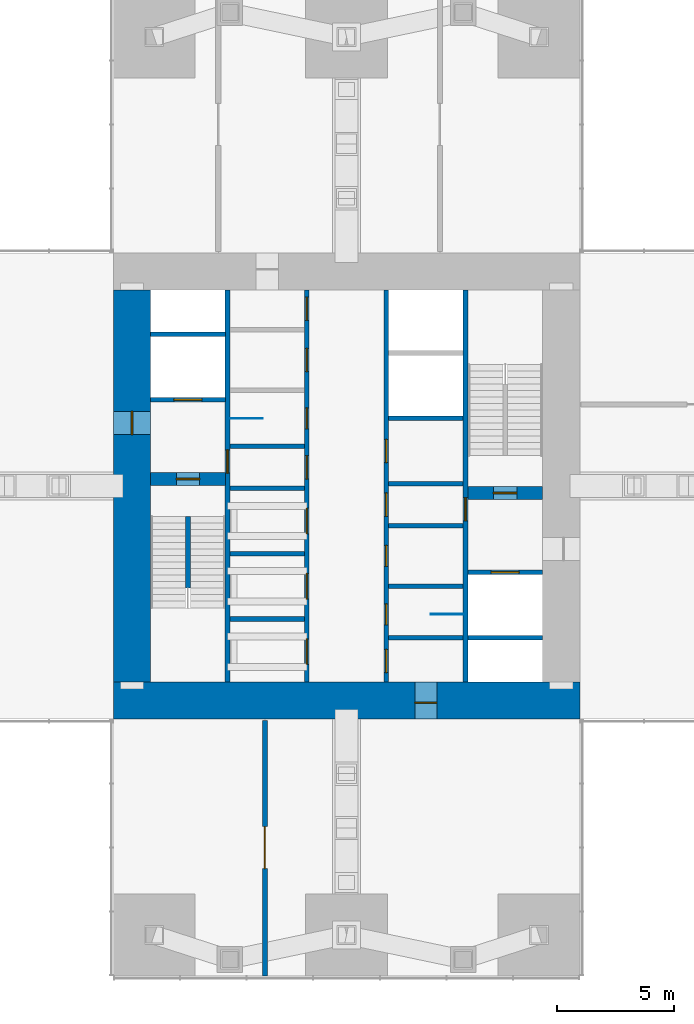
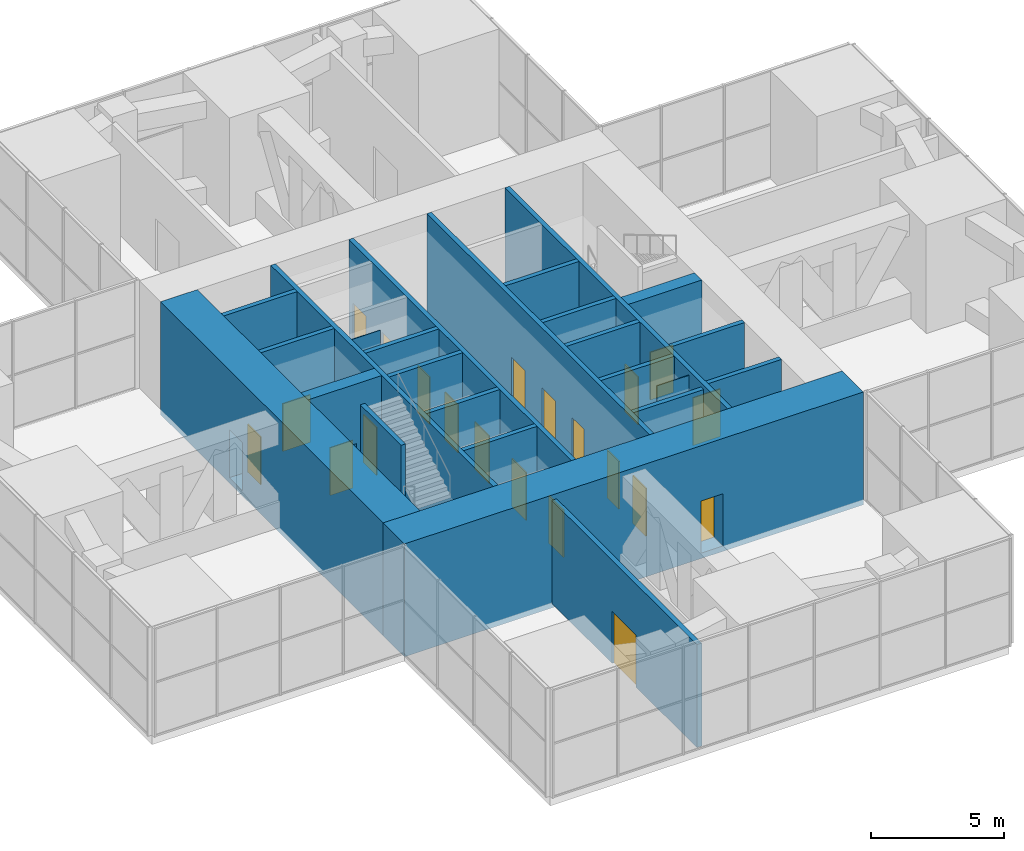
# One storey, part 10 of 12: 25 walls, 21 doors, 21 openings.
"""IFC4 building model written with IfcOpenShell, lengths in metres."""

from ifc_helpers import new_model, si_unit, direction, frame, frame_2d, origin, place, context, subcontext, project, spatial, rectangle, extrude, material, layer, layer_set, type_object, element, fill, save


model = new_model("IFC4")

# Units and contexts
model_context = context("Model", 3, precision=1e-05, world=origin(), true_north=direction((0.0, 1.0)))
body_context = subcontext(model_context, "Body", "Model", "MODEL_VIEW")
ifc_project = project(units=[si_unit("LENGTHUNIT", "METRE"), si_unit("AREAUNIT", "SQUARE_METRE"), si_unit("VOLUMEUNIT", "CUBIC_METRE"), si_unit("PLANEANGLEUNIT", "RADIAN"), si_unit("MASSUNIT", "GRAM", prefix="KILO")], contexts=[model_context])

# Site, building, storey
site_placement = place(None, origin())
site = spatial("IfcSite", under=ifc_project, at=site_placement, CompositionType="ELEMENT")
building_placement = place(site_placement, origin())
building = spatial("IfcBuilding", under=site, at=building_placement, Name="Svetlomir Tower", CompositionType="ELEMENT")
storey_placement = place(building_placement, frame((0.0, 0.0, 160.5)))
storey = spatial("IfcBuildingStorey", under=building, at=storey_placement, Name="L38", CompositionType="ELEMENT", Elevation=160.5)

# Wall
ifc_material_1 = material(Name="Gypsum board on twin steel studs", Category="steel")
ifc_layer_1 = layer(ifc_material_1, 0.199951171875)
ifc_layer_set_1 = layer_set([ifc_layer_1], Name="Gypsum board on twin steel studs")
wall_type_1 = type_object("IfcWallType", Name="ACOUSTIC PARTITION 200", PredefinedType="PARTITIONING", material=ifc_layer_set_1)
wall_1_placement = place(storey_placement, frame((22.800048828125, 14.5, 0.0), z_axis=(0.0, 0.0, 1.0), x_axis=(1.0, 0.0, 0.0)))
element("IfcWall", 1, at=wall_1_placement, inside=storey, type_object=wall_type_1, Name="Core south corridor wall L38", PredefinedType="PARTITIONING", context=body_context, shape_type="SweptSolid", body=[
    extrude(rectangle(XDim=3.199951171875, YDim=0.199951171875, at=frame_2d((1.60009765625, 0.0))), origin(), (0.0, 0.0, 1.0), 4.75),
])

# Wall, opening, door
ifc_material_2 = material(Name="Dense concrete blockwork", Category="masonry")
ifc_layer_2 = layer(ifc_material_2, 0.215087890625)
ifc_layer_set_2 = layer_set([ifc_layer_2], Name="Dense concrete blockwork")
wall_type_2 = type_object("IfcWallType", Name="BLOCKWORK WALL 215", PredefinedType="PARTITIONING", material=ifc_layer_set_2)
wall_2_placement = place(storey_placement, frame((17.5, 0.0, 0.0), z_axis=(0.0, 0.0, 1.0), x_axis=(0.0, 1.0, 0.0)))
wall_2 = element("IfcWall", 2, at=wall_2_placement, inside=storey, type_object=wall_type_2, Name="Partition L38", PredefinedType="PARTITIONING", context=body_context, shape_type="SweptSolid", body=[
    extrude(rectangle(XDim=10.949951171875, YDim=0.215087890625, at=frame_2d((5.47509765625, 0.0))), origin(), (0.0, 0.0, 1.0), 4.75),
])
opening_1_placement = place(wall_2_placement, frame((4.60009765625, 0.0, 0.0)))
opening_1 = element("IfcOpeningElement", 3, at=opening_1_placement, cuts=wall_2, Name="Opening DP", PredefinedType="OPENING", context=body_context, shape_type="SweptSolid", body=[
    extrude(rectangle(XDim=1.800048828125, YDim=2.39990234375, at=frame_2d((0.89990234375, 1.199951171875))), frame((0.0, 0.11767578125, 0.0), z_axis=(0.0, -1.0, 0.0), x_axis=(1.0, 0.0, 0.0)), (0.0, 0.0, 1.0), 0.235107421875),
])
ifc_material_3 = material(Name="Steel fire door", Category="steel")
door_type_1 = type_object("IfcDoorType", Name="PLANT ROOM DOOR DP 1800x2400", OperationType="DOUBLE_DOOR_SINGLE_SWING", PredefinedType="DOOR", material=ifc_material_3)
door_1_placement = place(opening_1_placement, origin())
door_1 = element("IfcDoor", 4, at=door_1_placement, inside=storey, type_object=door_type_1, Name="Plant room - air handling west door L38", OperationType="DOUBLE_DOOR_SINGLE_SWING", OverallHeight=2.39990234375, OverallWidth=1.800048828125, PredefinedType="DOOR", context=body_context, shape_type="SweptSolid", body=[
    extrude(rectangle(XDim=1.800048828125, YDim=2.39990234375, at=frame_2d((0.89990234375, 1.199951171875))), frame((0.0, 0.02490234375, 0.0), z_axis=(0.0, -1.0, 0.0), x_axis=(1.0, 0.0, 0.0)), (0.0, 0.0, 1.0), 0.050048828125),
])
fill(opening_1, door_1)

ifc_material_4 = material(Name="Concrete C60/75", Category="concrete")
ifc_layer_3 = layer(ifc_material_4, 0.199951171875)
ifc_layer_set_3 = layer_set([ifc_layer_3], Name="Concrete C60/75")
wall_type_3 = type_object("IfcWallType", Name="CORE INNER WALL 200", PredefinedType="SHEAR", material=ifc_layer_set_3)
wall_3_placement = place(storey_placement, frame((15.89990234375, 12.60009765625, -0.25), z_axis=(0.0, 0.0, 1.0), x_axis=(0.0, 1.0, 0.0)))
wall_3 = element("IfcWall", 5, at=wall_3_placement, inside=storey, type_object=wall_type_3, Name="Core inner wall 15.9 L38", PredefinedType="SHEAR", context=body_context, shape_type="SweptSolid", body=[
    extrude(rectangle(XDim=16.7998046875, YDim=0.199951171875, at=frame_2d((8.39990234375, 0.0))), origin(), (0.0, 0.0, 1.0), 5.199951171875),
])
opening_2_placement = place(wall_3_placement, frame((8.949951171875, 0.0, 0.25)))
opening_2 = element("IfcOpeningElement", 6, at=opening_2_placement, cuts=wall_3, Name="Opening DF", PredefinedType="OPENING", context=body_context, shape_type="SweptSolid", body=[
    extrude(rectangle(XDim=1.0, YDim=2.199951171875, at=frame_2d((0.5, 1.10009765625))), frame((0.0, 0.10986328125, 0.0), z_axis=(0.0, -1.0, 0.0), x_axis=(1.0, 0.0, 0.0)), (0.0, 0.0, 1.0), 0.219970703125),
])
ifc_material_5 = material(Name="Steel fire door", Category="steel")
door_type_2 = type_object("IfcDoorType", Name="DOOR DF 1000x2200", OperationType="SINGLE_SWING_LEFT", PredefinedType="DOOR", material=ifc_material_5)
door_2_placement = place(opening_2_placement, origin())
door_2 = element("IfcDoor", 7, at=door_2_placement, inside=storey, type_object=door_type_2, Name="Core corridor west door L38", OperationType="SINGLE_SWING_LEFT", OverallHeight=2.199951171875, OverallWidth=1.0, PredefinedType="DOOR", context=body_context, shape_type="SweptSolid", body=[
    extrude(rectangle(XDim=1.0, YDim=2.199951171875, at=frame_2d((0.5, 1.10009765625))), frame((0.0, 0.02490234375, 0.0), z_axis=(0.0, -1.0, 0.0), x_axis=(1.0, 0.0, 0.0)), (0.0, 0.0, 1.0), 0.050048828125),
])
fill(opening_2, door_2)

# Wall, openings, doors
wall_4_placement = place(storey_placement, frame((19.300048828125, 12.60009765625, -0.25), z_axis=(0.0, 0.0, 1.0), x_axis=(0.0, 1.0, 0.0)))
wall_4 = element("IfcWall", 8, at=wall_4_placement, inside=storey, type_object=wall_type_3, Name="Core inner wall 19.3 L38", PredefinedType="SHEAR", context=body_context, shape_type="SweptSolid", body=[
    extrude(rectangle(XDim=16.7998046875, YDim=0.199951171875, at=frame_2d((8.39990234375, 0.0))), origin(), (0.0, 0.0, 1.0), 5.199951171875),
])
opening_3_placement = place(wall_4_placement, frame((8.699951171875, 0.0, 0.25)))
opening_3 = element("IfcOpeningElement", 9, at=opening_3_placement, cuts=wall_4, Name="Opening DC", PredefinedType="OPENING", context=body_context, shape_type="SweptSolid", body=[
    extrude(rectangle(XDim=1.0, YDim=2.199951171875, at=frame_2d((0.5, 1.10009765625))), frame((0.0, 0.10986328125, 0.0), z_axis=(0.0, -1.0, 0.0), x_axis=(1.0, 0.0, 0.0)), (0.0, 0.0, 1.0), 0.219970703125),
])
opening_4_placement = place(wall_4_placement, frame((10.85009765625, 0.0, 0.25)))
opening_4 = element("IfcOpeningElement", 10, at=opening_4_placement, cuts=wall_4, Name="Opening DW", PredefinedType="OPENING", context=body_context, shape_type="SweptSolid", body=[
    extrude(rectangle(XDim=0.89990234375, YDim=2.199951171875, at=frame_2d((0.449951171875, 1.10009765625))), frame((0.0, 0.10986328125, 0.0), z_axis=(0.0, -1.0, 0.0), x_axis=(1.0, 0.0, 0.0)), (0.0, 0.0, 1.0), 0.219970703125),
])
opening_5_placement = place(wall_4_placement, frame((13.300048828125, 0.0, 0.25)))
opening_5 = element("IfcOpeningElement", 11, at=opening_5_placement, cuts=wall_4, Name="Opening DC", PredefinedType="OPENING", context=body_context, shape_type="SweptSolid", body=[
    extrude(rectangle(XDim=1.0, YDim=2.199951171875, at=frame_2d((0.5, 1.10009765625))), frame((0.0, 0.10986328125, 0.0), z_axis=(0.0, -1.0, 0.0), x_axis=(1.0, 0.0, 0.0)), (0.0, 0.0, 1.0), 0.219970703125),
])
opening_6_placement = place(wall_4_placement, frame((15.5, 0.0, 0.25)))
opening_6 = element("IfcOpeningElement", 12, at=opening_6_placement, cuts=wall_4, Name="Opening DC", PredefinedType="OPENING", context=body_context, shape_type="SweptSolid", body=[
    extrude(rectangle(XDim=1.0, YDim=2.199951171875, at=frame_2d((0.5, 1.10009765625))), frame((0.0, 0.10986328125, 0.0), z_axis=(0.0, -1.0, 0.0), x_axis=(1.0, 0.0, 0.0)), (0.0, 0.0, 1.0), 0.219970703125),
])
opening_7_placement = place(wall_4_placement, frame((0.75, 0.0, 0.25)))
opening_7 = element("IfcOpeningElement", 13, at=opening_7_placement, cuts=wall_4, Name="Opening LD", PredefinedType="OPENING", context=body_context, shape_type="SweptSolid", body=[
    extrude(rectangle(XDim=1.10009765625, YDim=2.199951171875, at=frame_2d((0.550048828125, 1.10009765625))), frame((0.0, 0.10986328125, 0.0), z_axis=(0.0, -1.0, 0.0), x_axis=(1.0, 0.0, 0.0)), (0.0, 0.0, 1.0), 0.219970703125),
])
opening_8_placement = place(wall_4_placement, frame((3.550048828125, 0.0, 0.25)))
opening_8 = element("IfcOpeningElement", 14, at=opening_8_placement, cuts=wall_4, Name="Opening LD", PredefinedType="OPENING", context=body_context, shape_type="SweptSolid", body=[
    extrude(rectangle(XDim=1.10009765625, YDim=2.199951171875, at=frame_2d((0.550048828125, 1.10009765625))), frame((0.0, 0.10986328125, 0.0), z_axis=(0.0, -1.0, 0.0), x_axis=(1.0, 0.0, 0.0)), (0.0, 0.0, 1.0), 0.219970703125),
])
opening_9_placement = place(wall_4_placement, frame((6.35009765625, 0.0, 0.25)))
opening_9 = element("IfcOpeningElement", 15, at=opening_9_placement, cuts=wall_4, Name="Opening LD", PredefinedType="OPENING", context=body_context, shape_type="SweptSolid", body=[
    extrude(rectangle(XDim=1.10009765625, YDim=2.199951171875, at=frame_2d((0.550048828125, 1.10009765625))), frame((0.0, 0.10986328125, 0.0), z_axis=(0.0, -1.0, 0.0), x_axis=(1.0, 0.0, 0.0)), (0.0, 0.0, 1.0), 0.219970703125),
])
ifc_material_6 = material(Name="Timber fire door", Category="wood")
door_type_3 = type_object("IfcDoorType", Name="DOOR DC 1000x2200", OperationType="SINGLE_SWING_LEFT", PredefinedType="DOOR", material=ifc_material_6)
door_3_placement = place(opening_3_placement, origin())
door_3 = element("IfcDoor", 16, at=door_3_placement, inside=storey, type_object=door_type_3, Name="Core corridor west lobby door L38", OperationType="SINGLE_SWING_RIGHT", OverallHeight=2.199951171875, OverallWidth=1.0, PredefinedType="DOOR", context=body_context, shape_type="SweptSolid", body=[
    extrude(rectangle(XDim=1.0, YDim=2.199951171875, at=frame_2d((0.5, 1.10009765625))), frame((0.0, 0.02490234375, 0.0), z_axis=(0.0, -1.0, 0.0), x_axis=(1.0, 0.0, 0.0)), (0.0, 0.0, 1.0), 0.050048828125),
])
fill(opening_3, door_3)
door_4_placement = place(opening_5_placement, origin())
door_4 = element("IfcDoor", 17, at=door_4_placement, inside=storey, type_object=door_type_3, Name="Accessible WC door L38", OperationType="SINGLE_SWING_LEFT", OverallHeight=2.199951171875, OverallWidth=1.0, PredefinedType="DOOR", context=body_context, shape_type="SweptSolid", body=[
    extrude(rectangle(XDim=1.0, YDim=2.199951171875, at=frame_2d((0.5, 1.10009765625))), frame((0.0, 0.02490234375, 0.0), z_axis=(0.0, -1.0, 0.0), x_axis=(1.0, 0.0, 0.0)), (0.0, 0.0, 1.0), 0.050048828125),
])
fill(opening_5, door_4)
door_5_placement = place(opening_6_placement, origin())
door_5 = element("IfcDoor", 18, at=door_5_placement, inside=storey, type_object=door_type_3, Name="Core north corridor lobby door L38", OperationType="SINGLE_SWING_RIGHT", OverallHeight=2.199951171875, OverallWidth=1.0, PredefinedType="DOOR", context=body_context, shape_type="SweptSolid", body=[
    extrude(rectangle(XDim=1.0, YDim=2.199951171875, at=frame_2d((0.5, 1.10009765625))), frame((0.0, 0.02490234375, 0.0), z_axis=(0.0, -1.0, 0.0), x_axis=(1.0, 0.0, 0.0)), (0.0, 0.0, 1.0), 0.050048828125),
])
fill(opening_6, door_5)
ifc_material_7 = material(Name="Timber fire door", Category="wood")
door_type_4 = type_object("IfcDoorType", Name="DOOR DW 900x2200", OperationType="SINGLE_SWING_LEFT", PredefinedType="DOOR", material=ifc_material_7)
door_6_placement = place(opening_4_placement, origin())
door_6 = element("IfcDoor", 19, at=door_6_placement, inside=storey, type_object=door_type_4, Name="Female WC door L38", OperationType="SINGLE_SWING_RIGHT", OverallHeight=2.199951171875, OverallWidth=0.89990234375, PredefinedType="DOOR", context=body_context, shape_type="SweptSolid", body=[
    extrude(rectangle(XDim=0.89990234375, YDim=2.199951171875, at=frame_2d((0.449951171875, 1.10009765625))), frame((0.0, 0.02490234375, 0.0), z_axis=(0.0, -1.0, 0.0), x_axis=(1.0, 0.0, 0.0)), (0.0, 0.0, 1.0), 0.050048828125),
])
fill(opening_4, door_6)
ifc_material_8 = material(Name="Stainless steel landing door", Category="steel")
door_type_5 = type_object("IfcDoorType", Name="LIFT LANDING DOOR LD 1100x2200", OperationType="DOUBLE_DOOR_SLIDING", PredefinedType="DOOR", material=ifc_material_8)
door_7_placement = place(opening_7_placement, origin())
door_7 = element("IfcDoor", 20, at=door_7_placement, inside=storey, type_object=door_type_5, Name="Landing door lift LB1 L38", OperationType="DOUBLE_DOOR_SLIDING", OverallHeight=2.199951171875, OverallWidth=1.10009765625, PredefinedType="DOOR", context=body_context, shape_type="SweptSolid", body=[
    extrude(rectangle(XDim=1.10009765625, YDim=2.199951171875, at=frame_2d((0.550048828125, 1.10009765625))), frame((0.0, 0.02490234375, 0.0), z_axis=(0.0, -1.0, 0.0), x_axis=(1.0, 0.0, 0.0)), (0.0, 0.0, 1.0), 0.050048828125),
])
fill(opening_7, door_7)
door_8_placement = place(opening_8_placement, origin())
door_8 = element("IfcDoor", 21, at=door_8_placement, inside=storey, type_object=door_type_5, Name="Landing door lift LB2 L38", OperationType="DOUBLE_DOOR_SLIDING", OverallHeight=2.199951171875, OverallWidth=1.10009765625, PredefinedType="DOOR", context=body_context, shape_type="SweptSolid", body=[
    extrude(rectangle(XDim=1.10009765625, YDim=2.199951171875, at=frame_2d((0.550048828125, 1.10009765625))), frame((0.0, 0.02490234375, 0.0), z_axis=(0.0, -1.0, 0.0), x_axis=(1.0, 0.0, 0.0)), (0.0, 0.0, 1.0), 0.050048828125),
])
fill(opening_8, door_8)
door_9_placement = place(opening_9_placement, origin())
door_9 = element("IfcDoor", 22, at=door_9_placement, inside=storey, type_object=door_type_5, Name="Landing door lift LB3 L38", OperationType="DOUBLE_DOOR_SLIDING", OverallHeight=2.199951171875, OverallWidth=1.10009765625, PredefinedType="DOOR", context=body_context, shape_type="SweptSolid", body=[
    extrude(rectangle(XDim=1.10009765625, YDim=2.199951171875, at=frame_2d((0.550048828125, 1.10009765625))), frame((0.0, 0.02490234375, 0.0), z_axis=(0.0, -1.0, 0.0), x_axis=(1.0, 0.0, 0.0)), (0.0, 0.0, 1.0), 0.050048828125),
])
fill(opening_9, door_9)

wall_5_placement = place(storey_placement, frame((22.699951171875, 12.60009765625, -0.25), z_axis=(0.0, 0.0, 1.0), x_axis=(0.0, 1.0, 0.0)))
wall_5 = element("IfcWall", 23, at=wall_5_placement, inside=storey, type_object=wall_type_3, Name="Core inner wall 22.7 L38", PredefinedType="SHEAR", context=body_context, shape_type="SweptSolid", body=[
    extrude(rectangle(XDim=16.7998046875, YDim=0.199951171875, at=frame_2d((8.39990234375, 0.0))), origin(), (0.0, 0.0, 1.0), 5.199951171875),
])
opening_10_placement = place(wall_5_placement, frame((0.39990234375, 0.0, 0.25)))
opening_10 = element("IfcOpeningElement", 24, at=opening_10_placement, cuts=wall_5, Name="Opening DC", PredefinedType="OPENING", context=body_context, shape_type="SweptSolid", body=[
    extrude(rectangle(XDim=1.0, YDim=2.199951171875, at=frame_2d((0.5, 1.10009765625))), frame((0.0, 0.10986328125, 0.0), z_axis=(0.0, -1.0, 0.0), x_axis=(1.0, 0.0, 0.0)), (0.0, 0.0, 1.0), 0.219970703125),
])
opening_11_placement = place(wall_5_placement, frame((7.10009765625, 0.0, 0.25)))
opening_11 = element("IfcOpeningElement", 25, at=opening_11_placement, cuts=wall_5, Name="Opening DC", PredefinedType="OPENING", context=body_context, shape_type="SweptSolid", body=[
    extrude(rectangle(XDim=1.0, YDim=2.199951171875, at=frame_2d((0.5, 1.10009765625))), frame((0.0, 0.10986328125, 0.0), z_axis=(0.0, -1.0, 0.0), x_axis=(1.0, 0.0, 0.0)), (0.0, 0.0, 1.0), 0.219970703125),
])
opening_12_placement = place(wall_5_placement, frame((2.449951171875, 0.0, 0.25)))
opening_12 = element("IfcOpeningElement", 26, at=opening_12_placement, cuts=wall_5, Name="Opening DW", PredefinedType="OPENING", context=body_context, shape_type="SweptSolid", body=[
    extrude(rectangle(XDim=0.89990234375, YDim=2.199951171875, at=frame_2d((0.449951171875, 1.10009765625))), frame((0.0, 0.10986328125, 0.0), z_axis=(0.0, -1.0, 0.0), x_axis=(1.0, 0.0, 0.0)), (0.0, 0.0, 1.0), 0.219970703125),
])
opening_13_placement = place(wall_5_placement, frame((4.949951171875, 0.0, 0.25)))
opening_13 = element("IfcOpeningElement", 27, at=opening_13_placement, cuts=wall_5, Name="Opening DW", PredefinedType="OPENING", context=body_context, shape_type="SweptSolid", body=[
    extrude(rectangle(XDim=0.89990234375, YDim=2.199951171875, at=frame_2d((0.449951171875, 1.10009765625))), frame((0.0, 0.10986328125, 0.0), z_axis=(0.0, -1.0, 0.0), x_axis=(1.0, 0.0, 0.0)), (0.0, 0.0, 1.0), 0.219970703125),
])
opening_14_placement = place(wall_5_placement, frame((9.39990234375, 0.0, 0.25)))
opening_14 = element("IfcOpeningElement", 28, at=opening_14_placement, cuts=wall_5, Name="Opening DC", PredefinedType="OPENING", context=body_context, shape_type="SweptSolid", body=[
    extrude(rectangle(XDim=1.0, YDim=2.199951171875, at=frame_2d((0.5, 1.10009765625))), frame((0.0, 0.10986328125, 0.0), z_axis=(0.0, -1.0, 0.0), x_axis=(1.0, 0.0, 0.0)), (0.0, 0.0, 1.0), 0.219970703125),
])
door_10_placement = place(opening_10_placement, origin())
door_10 = element("IfcDoor", 29, at=door_10_placement, inside=storey, type_object=door_type_3, Name="Core south corridor lobby door L38", OperationType="SINGLE_SWING_LEFT", OverallHeight=2.199951171875, OverallWidth=1.0, PredefinedType="DOOR", context=body_context, shape_type="SweptSolid", body=[
    extrude(rectangle(XDim=1.0, YDim=2.199951171875, at=frame_2d((0.5, 1.10009765625))), frame((0.0, 0.02490234375, 0.0), z_axis=(0.0, -1.0, 0.0), x_axis=(1.0, 0.0, 0.0)), (0.0, 0.0, 1.0), 0.050048828125),
])
fill(opening_10, door_10)
door_11_placement = place(opening_11_placement, origin())
door_11 = element("IfcDoor", 30, at=door_11_placement, inside=storey, type_object=door_type_3, Name="Core corridor east lobby door L38", OperationType="SINGLE_SWING_LEFT", OverallHeight=2.199951171875, OverallWidth=1.0, PredefinedType="DOOR", context=body_context, shape_type="SweptSolid", body=[
    extrude(rectangle(XDim=1.0, YDim=2.199951171875, at=frame_2d((0.5, 1.10009765625))), frame((0.0, 0.02490234375, 0.0), z_axis=(0.0, -1.0, 0.0), x_axis=(1.0, 0.0, 0.0)), (0.0, 0.0, 1.0), 0.050048828125),
])
fill(opening_11, door_11)
door_12_placement = place(opening_14_placement, origin())
door_12 = element("IfcDoor", 31, at=door_12_placement, inside=storey, type_object=door_type_3, Name="Converted shaft BANK-E1 room door L38", OperationType="SINGLE_SWING_LEFT", OverallHeight=2.199951171875, OverallWidth=1.0, PredefinedType="DOOR", context=body_context, shape_type="SweptSolid", body=[
    extrude(rectangle(XDim=1.0, YDim=2.199951171875, at=frame_2d((0.5, 1.10009765625))), frame((0.0, 0.02490234375, 0.0), z_axis=(0.0, -1.0, 0.0), x_axis=(1.0, 0.0, 0.0)), (0.0, 0.0, 1.0), 0.050048828125),
])
fill(opening_14, door_12)
door_13_placement = place(opening_12_placement, origin())
door_13 = element("IfcDoor", 32, at=door_13_placement, inside=storey, type_object=door_type_4, Name="Male WC door L38", OperationType="SINGLE_SWING_LEFT", OverallHeight=2.199951171875, OverallWidth=0.89990234375, PredefinedType="DOOR", context=body_context, shape_type="SweptSolid", body=[
    extrude(rectangle(XDim=0.89990234375, YDim=2.199951171875, at=frame_2d((0.449951171875, 1.10009765625))), frame((0.0, 0.02490234375, 0.0), z_axis=(0.0, -1.0, 0.0), x_axis=(1.0, 0.0, 0.0)), (0.0, 0.0, 1.0), 0.050048828125),
])
fill(opening_12, door_13)
door_14_placement = place(opening_13_placement, origin())
door_14 = element("IfcDoor", 33, at=door_14_placement, inside=storey, type_object=door_type_4, Name="Comms room door L38", OperationType="SINGLE_SWING_RIGHT", OverallHeight=2.199951171875, OverallWidth=0.89990234375, PredefinedType="DOOR", context=body_context, shape_type="SweptSolid", body=[
    extrude(rectangle(XDim=0.89990234375, YDim=2.199951171875, at=frame_2d((0.449951171875, 1.10009765625))), frame((0.0, 0.02490234375, 0.0), z_axis=(0.0, -1.0, 0.0), x_axis=(1.0, 0.0, 0.0)), (0.0, 0.0, 1.0), 0.050048828125),
])
fill(opening_13, door_14)

# Wall, opening, door
wall_6_placement = place(storey_placement, frame((26.10009765625, 12.60009765625, -0.25), z_axis=(0.0, 0.0, 1.0), x_axis=(0.0, 1.0, 0.0)))
wall_6 = element("IfcWall", 34, at=wall_6_placement, inside=storey, type_object=wall_type_3, Name="Core inner wall 26.1 L38", PredefinedType="SHEAR", context=body_context, shape_type="SweptSolid", body=[
    extrude(rectangle(XDim=16.7998046875, YDim=0.199951171875, at=frame_2d((8.39990234375, 0.0))), origin(), (0.0, 0.0, 1.0), 5.199951171875),
])
opening_15_placement = place(wall_6_placement, frame((6.89990234375, 0.0, 0.25)))
opening_15 = element("IfcOpeningElement", 35, at=opening_15_placement, cuts=wall_6, Name="Opening DF", PredefinedType="OPENING", context=body_context, shape_type="SweptSolid", body=[
    extrude(rectangle(XDim=1.0, YDim=2.199951171875, at=frame_2d((0.5, 1.10009765625))), frame((0.0, 0.10986328125, 0.0), z_axis=(0.0, -1.0, 0.0), x_axis=(1.0, 0.0, 0.0)), (0.0, 0.0, 1.0), 0.219970703125),
])
door_15_placement = place(opening_15_placement, origin())
door_15 = element("IfcDoor", 36, at=door_15_placement, inside=storey, type_object=door_type_2, Name="Core corridor east door L38", OperationType="SINGLE_SWING_LEFT", OverallHeight=2.199951171875, OverallWidth=1.0, PredefinedType="DOOR", context=body_context, shape_type="SweptSolid", body=[
    extrude(rectangle(XDim=1.0, YDim=2.199951171875, at=frame_2d((0.5, 1.10009765625))), frame((0.0, 0.02490234375, 0.0), z_axis=(0.0, -1.0, 0.0), x_axis=(1.0, 0.0, 0.0)), (0.0, 0.0, 1.0), 0.050048828125),
])
fill(opening_15, door_15)

wall_7_placement = place(storey_placement, frame((12.60009765625, 24.699951171875, -0.25), z_axis=(0.0, 0.0, 1.0), x_axis=(1.0, 0.0, 0.0)))
wall_7 = element("IfcWall", 37, at=wall_7_placement, inside=storey, type_object=wall_type_3, Name="Core inner wall 12.6-15.8/24.7 L38", PredefinedType="SHEAR", context=body_context, shape_type="SweptSolid", body=[
    extrude(rectangle(XDim=3.199951171875, YDim=0.199951171875, at=frame_2d((1.60009765625, 0.0))), origin(), (0.0, 0.0, 1.0), 5.199951171875),
])
opening_16_placement = place(wall_7_placement, frame((1.0, 0.0, 0.25)))
opening_16 = element("IfcOpeningElement", 38, at=opening_16_placement, cuts=wall_7, Name="Opening LD3", PredefinedType="OPENING", context=body_context, shape_type="SweptSolid", body=[
    extrude(rectangle(XDim=1.199951171875, YDim=2.199951171875, at=frame_2d((0.60009765625, 1.10009765625))), frame((0.0, 0.10986328125, 0.0), z_axis=(0.0, -1.0, 0.0), x_axis=(1.0, 0.0, 0.0)), (0.0, 0.0, 1.0), 0.219970703125),
])
ifc_material_9 = material(Name="Stainless steel fire-rated landing door", Category="steel")
door_type_6 = type_object("IfcDoorType", Name="FIREFIGHTING LIFT LANDING DOOR LD3 1200x2200", OperationType="DOUBLE_DOOR_SLIDING", PredefinedType="DOOR", material=ifc_material_9)
door_16_placement = place(opening_16_placement, origin())
door_16 = element("IfcDoor", 39, at=door_16_placement, inside=storey, type_object=door_type_6, Name="Landing door lift FL1 L38", OperationType="DOUBLE_DOOR_SLIDING", OverallHeight=2.199951171875, OverallWidth=1.199951171875, PredefinedType="DOOR", context=body_context, shape_type="SweptSolid", body=[
    extrude(rectangle(XDim=1.199951171875, YDim=2.199951171875, at=frame_2d((0.60009765625, 1.10009765625))), frame((0.0, 0.02490234375, 0.0), z_axis=(0.0, -1.0, 0.0), x_axis=(1.0, 0.0, 0.0)), (0.0, 0.0, 1.0), 0.050048828125),
])
fill(opening_16, door_16)

# Walls
for number, where, z_axis, x_axis, name in (
    (40, (12.60009765625, 27.5, -0.25), (0.0, 0.0, 1.0), (1.0, 0.0, 0.0), "Core inner wall 12.6-15.8/27.5 L38"),
    (41, (16.0, 15.300048828125, -0.25), (0.0, 0.0, 1.0), (1.0, 0.0, 0.0), "Core inner wall 16-19.2/15.3 L38"),
    (42, (16.0, 18.10009765625, -0.25), (0.0, 0.0, 1.0), (1.0, 0.0, 0.0), "Core inner wall 16-19.2/18.1 L38"),
    (43, (16.0, 20.89990234375, -0.25), (0.0, 0.0, 1.0), (1.0, 0.0, 0.0), "Core inner wall 16-19.2/20.9 L38"),
    (44, (16.0, 22.699951171875, -0.25), (0.0, 0.0, 1.0), (1.0, 0.0, 0.0), "Core inner wall 16-19.2/22.7 L38"),
    (45, (22.800048828125, 16.699951171875, -0.25), (0.0, 0.0, 1.0), (1.0, 0.0, 0.0), "Core inner wall 22.8-26/16.7 L38"),
    (46, (22.800048828125, 19.300048828125, -0.25), (0.0, 0.0, 1.0), (1.0, 0.0, 0.0), "Core inner wall 22.8-26/19.3 L38"),
    (47, (22.800048828125, 21.10009765625, -0.25), (0.0, 0.0, 1.0), (1.0, 0.0, 0.0), "Core inner wall 22.8-26/21.1 L38"),
    (48, (22.800048828125, 23.89990234375, -0.25), (0.0, 0.0, 1.0), (1.0, 0.0, 0.0), "Core inner wall 22.8-26/23.9 L38"),
    (49, (26.199951171875, 14.5, -0.25), (0.0, 0.0, 1.0), (1.0, 0.0, 0.0), "Core inner wall 26.2-29.4/14.5 L38"),
):
    element("IfcWall", number, at=place(storey_placement, frame(where, z_axis=z_axis, x_axis=x_axis)), inside=storey, type_object=wall_type_3, Name=name, PredefinedType="SHEAR", context=body_context, shape_type="SweptSolid", body=[
        extrude(rectangle(XDim=3.199951171875, YDim=0.199951171875, at=frame_2d((1.60009765625, 0.0))), origin(), (0.0, 0.0, 1.0), 5.199951171875),
    ])

# Wall, opening, door
wall_8_placement = place(storey_placement, frame((26.199951171875, 17.300048828125, -0.25), z_axis=(0.0, 0.0, 1.0), x_axis=(1.0, 0.0, 0.0)))
wall_8 = element("IfcWall", 50, at=wall_8_placement, inside=storey, type_object=wall_type_3, Name="Core inner wall 26.2-29.4/17.3 L38", PredefinedType="SHEAR", context=body_context, shape_type="SweptSolid", body=[
    extrude(rectangle(XDim=3.199951171875, YDim=0.199951171875, at=frame_2d((1.60009765625, 0.0))), origin(), (0.0, 0.0, 1.0), 5.199951171875),
])
opening_17_placement = place(wall_8_placement, frame((1.0, 0.0, 0.25)))
opening_17 = element("IfcOpeningElement", 51, at=opening_17_placement, cuts=wall_8, Name="Opening LD3", PredefinedType="OPENING", context=body_context, shape_type="SweptSolid", body=[
    extrude(rectangle(XDim=1.199951171875, YDim=2.199951171875, at=frame_2d((0.60009765625, 1.10009765625))), frame((0.0, 0.10986328125, 0.0), z_axis=(0.0, -1.0, 0.0), x_axis=(1.0, 0.0, 0.0)), (0.0, 0.0, 1.0), 0.219970703125),
])
door_17_placement = place(opening_17_placement, origin())
door_17 = element("IfcDoor", 52, at=door_17_placement, inside=storey, type_object=door_type_6, Name="Landing door lift FL2 L38", OperationType="DOUBLE_DOOR_SLIDING", OverallHeight=2.199951171875, OverallWidth=1.199951171875, PredefinedType="DOOR", context=body_context, shape_type="SweptSolid", body=[
    extrude(rectangle(XDim=1.199951171875, YDim=2.199951171875, at=frame_2d((0.60009765625, 1.10009765625))), frame((0.0, 0.02490234375, 0.0), z_axis=(0.0, -1.0, 0.0), x_axis=(1.0, 0.0, 0.0)), (0.0, 0.0, 1.0), 0.050048828125),
])
fill(opening_17, door_17)

ifc_material_10 = material(Name="Concrete C60/75", Category="concrete")
ifc_layer_4 = layer(ifc_material_10, 0.550048828125)
ifc_layer_set_4 = layer_set([ifc_layer_4], Name="Concrete C60/75")
wall_type_4 = type_object("IfcWallType", Name="CORE OUTRIGGER WALL 550", PredefinedType="SHEAR", material=ifc_layer_set_4)
wall_9_placement = place(storey_placement, frame((12.60009765625, 21.300048828125, -0.25), z_axis=(0.0, 0.0, 1.0), x_axis=(1.0, 0.0, 0.0)))
wall_9 = element("IfcWall", 53, at=wall_9_placement, inside=storey, type_object=wall_type_4, Name="Core outrigger wall 12.6-15.8/21.3 L38", PredefinedType="SHEAR", context=body_context, shape_type="SweptSolid", body=[
    extrude(rectangle(XDim=3.199951171875, YDim=0.550048828125, at=frame_2d((1.60009765625, 0.0))), origin(), (0.0, 0.0, 1.0), 5.199951171875),
])
opening_18_placement = place(wall_9_placement, frame((1.10009765625, 0.0, 0.25)))
opening_18 = element("IfcOpeningElement", 54, at=opening_18_placement, cuts=wall_9, Name="Opening DF", PredefinedType="OPENING", context=body_context, shape_type="SweptSolid", body=[
    extrude(rectangle(XDim=1.0, YDim=2.199951171875, at=frame_2d((0.5, 1.10009765625))), frame((0.0, 0.28515625, 0.0), z_axis=(0.0, -1.0, 0.0), x_axis=(1.0, 0.0, 0.0)), (0.0, 0.0, 1.0), 0.570068359375),
])
door_18_placement = place(opening_18_placement, origin())
door_18 = element("IfcDoor", 55, at=door_18_placement, inside=storey, type_object=door_type_2, Name="Stair S1 door L38", OperationType="SINGLE_SWING_RIGHT", OverallHeight=2.199951171875, OverallWidth=1.0, PredefinedType="DOOR", context=body_context, shape_type="SweptSolid", body=[
    extrude(rectangle(XDim=1.0, YDim=2.199951171875, at=frame_2d((0.5, 1.10009765625))), frame((0.0, 0.02490234375, 0.0), z_axis=(0.0, -1.0, 0.0), x_axis=(1.0, 0.0, 0.0)), (0.0, 0.0, 1.0), 0.050048828125),
])
fill(opening_18, door_18)

wall_10_placement = place(storey_placement, frame((26.199951171875, 20.699951171875, -0.25), z_axis=(0.0, 0.0, 1.0), x_axis=(1.0, 0.0, 0.0)))
wall_10 = element("IfcWall", 56, at=wall_10_placement, inside=storey, type_object=wall_type_4, Name="Core outrigger wall 26.2-29.4/20.7 L38", PredefinedType="SHEAR", context=body_context, shape_type="SweptSolid", body=[
    extrude(rectangle(XDim=3.199951171875, YDim=0.550048828125, at=frame_2d((1.60009765625, 0.0))), origin(), (0.0, 0.0, 1.0), 5.199951171875),
])
opening_19_placement = place(wall_10_placement, frame((1.10009765625, 0.0, 0.25)))
opening_19 = element("IfcOpeningElement", 57, at=opening_19_placement, cuts=wall_10, Name="Opening DF", PredefinedType="OPENING", context=body_context, shape_type="SweptSolid", body=[
    extrude(rectangle(XDim=1.0, YDim=2.199951171875, at=frame_2d((0.5, 1.10009765625))), frame((0.0, 0.28515625, 0.0), z_axis=(0.0, -1.0, 0.0), x_axis=(1.0, 0.0, 0.0)), (0.0, 0.0, 1.0), 0.570068359375),
])
door_19_placement = place(opening_19_placement, origin())
door_19 = element("IfcDoor", 58, at=door_19_placement, inside=storey, type_object=door_type_2, Name="Stair S2 door L38", OperationType="SINGLE_SWING_LEFT", OverallHeight=2.199951171875, OverallWidth=1.0, PredefinedType="DOOR", context=body_context, shape_type="SweptSolid", body=[
    extrude(rectangle(XDim=1.0, YDim=2.199951171875, at=frame_2d((0.5, 1.10009765625))), frame((0.0, 0.02490234375, 0.0), z_axis=(0.0, -1.0, 0.0), x_axis=(1.0, 0.0, 0.0)), (0.0, 0.0, 1.0), 0.050048828125),
])
fill(opening_19, door_19)

ifc_material_11 = material(Name="Concrete C60/75", Category="concrete")
ifc_layer_5 = layer(ifc_material_11, 1.60009765625)
ifc_layer_set_5 = layer_set([ifc_layer_5], Name="Concrete C60/75")
wall_type_5 = type_object("IfcWallType", Name="CORE WALL 1600", PredefinedType="SHEAR", material=ifc_layer_set_5)
wall_11_placement = place(storey_placement, frame((11.0, 11.800048828125, -0.25), z_axis=(0.0, 0.0, 1.0), x_axis=(1.0, 0.0, 0.0)))
wall_11 = element("IfcWall", 59, at=wall_11_placement, inside=storey, type_object=wall_type_5, Name="Core wall south L38", PredefinedType="SHEAR", context=body_context, shape_type="SweptSolid", body=[
    extrude(rectangle(XDim=20.0, YDim=1.60009765625, at=frame_2d((10.0, 0.0))), origin(), (0.0, 0.0, 1.0), 5.199951171875),
])
opening_20_placement = place(wall_11_placement, frame((12.925048828125, 0.0, 0.25)))
opening_20 = element("IfcOpeningElement", 60, at=opening_20_placement, cuts=wall_11, Name="Opening DP2", PredefinedType="OPENING", context=body_context, shape_type="SweptSolid", body=[
    extrude(rectangle(XDim=0.949951171875, YDim=2.39990234375, at=frame_2d((0.47509765625, 1.199951171875))), frame((0.0, 0.81005859375, 0.0), z_axis=(0.0, -1.0, 0.0), x_axis=(1.0, 0.0, 0.0)), (0.0, 0.0, 1.0), 1.6201171875),
])
ifc_material_12 = material(Name="Steel fire door", Category="steel")
door_type_7 = type_object("IfcDoorType", Name="PLANT ROOM DOOR DP2 950x2400", OperationType="SINGLE_SWING_LEFT", PredefinedType="DOOR", material=ifc_material_12)
door_20_placement = place(opening_20_placement, origin())
door_20 = element("IfcDoor", 61, at=door_20_placement, inside=storey, type_object=door_type_7, Name="Core south corridor plant door L38", OperationType="SINGLE_SWING_RIGHT", OverallHeight=2.39990234375, OverallWidth=0.949951171875, PredefinedType="DOOR", context=body_context, shape_type="SweptSolid", body=[
    extrude(rectangle(XDim=0.949951171875, YDim=2.39990234375, at=frame_2d((0.47509765625, 1.199951171875))), frame((0.0, -0.0751953125, 0.0), z_axis=(0.0, -1.0, 0.0), x_axis=(1.0, 0.0, 0.0)), (0.0, 0.0, 1.0), 0.050048828125),
])
fill(opening_20, door_20)

wall_12_placement = place(storey_placement, frame((11.800048828125, 12.60009765625, -0.25), z_axis=(0.0, 0.0, 1.0), x_axis=(0.0, 1.0, 0.0)))
wall_12 = element("IfcWall", 62, at=wall_12_placement, inside=storey, type_object=wall_type_5, Name="Core wall west L38", PredefinedType="SHEAR", context=body_context, shape_type="SweptSolid", body=[
    extrude(rectangle(XDim=16.7998046875, YDim=1.60009765625, at=frame_2d((8.39990234375, 0.0))), origin(), (0.0, 0.0, 1.0), 5.199951171875),
])
opening_21_placement = place(wall_12_placement, frame((10.60009765625, 0.0, 0.25)))
opening_21 = element("IfcOpeningElement", 63, at=opening_21_placement, cuts=wall_12, Name="Opening DF", PredefinedType="OPENING", context=body_context, shape_type="SweptSolid", body=[
    extrude(rectangle(XDim=1.0, YDim=2.199951171875, at=frame_2d((0.5, 1.10009765625))), frame((0.0, 0.81005859375, 0.0), z_axis=(0.0, -1.0, 0.0), x_axis=(1.0, 0.0, 0.0)), (0.0, 0.0, 1.0), 1.6201171875),
])
door_21_placement = place(opening_21_placement, origin())
door_21 = element("IfcDoor", 64, at=door_21_placement, inside=storey, type_object=door_type_2, Name="Firefighting lobby west door L38", OperationType="SINGLE_SWING_RIGHT", OverallHeight=2.199951171875, OverallWidth=1.0, PredefinedType="DOOR", context=body_context, shape_type="SweptSolid", body=[
    extrude(rectangle(XDim=1.0, YDim=2.199951171875, at=frame_2d((0.5, 1.10009765625))), frame((0.0, 0.02490234375, 0.0), z_axis=(0.0, -1.0, 0.0), x_axis=(1.0, 0.0, 0.0)), (0.0, 0.0, 1.0), 0.050048828125),
])
fill(opening_21, door_21)

# Walls
ifc_material_13 = material(Name="Concrete C60/75", Category="concrete")
ifc_layer_6 = layer(ifc_material_13, 0.199951171875)
ifc_layer_set_6 = layer_set([ifc_layer_6], Name="Concrete C60/75")
wall_type_6 = type_object("IfcWallType", Name="STAIR SPINE WALL 200", PredefinedType="PARTITIONING", material=ifc_layer_set_6)
wall_13_placement = place(storey_placement, frame((14.199951171875, 16.6201171875, 0.0), z_axis=(0.0, 0.0, 1.0), x_axis=(0.0, 1.0, 0.0)))
element("IfcWall", 65, at=wall_13_placement, inside=storey, type_object=wall_type_6, Name="Stair S1 spine wall L38", PredefinedType="PARTITIONING", context=body_context, shape_type="SweptSolid", body=[
    extrude(rectangle(XDim=3.079833984375, YDim=0.199951171875, at=frame_2d((1.5400390625, 0.0))), origin(), (0.0, 0.0, 1.0), 5.0),
])
ifc_material_14 = material(Name="Compact laminate panel", Category="plastic")
ifc_layer_7 = layer(ifc_material_14, 0.030029296875)
ifc_layer_set_7 = layer_set([ifc_layer_7], Name="Compact laminate panel")
wall_type_7 = type_object("IfcWallType", Name="WC CUBICLE PARTITION 30", PredefinedType="PARTITIONING", material=ifc_layer_set_7)
for number, where, z_axis, x_axis, name in (
    (66, (24.60009765625, 15.5, 0.0), (0.0, 0.0, 1.0), (1.0, 0.0, 0.0), "WC cubicle partition L38"),
    (67, (16.0, 23.89990234375, 0.0), (0.0, 0.0, 1.0), (1.0, 0.0, 0.0), "WC cubicle partition L38"),
):
    element("IfcWall", number, at=place(storey_placement, frame(where, z_axis=z_axis, x_axis=x_axis)), inside=storey, type_object=wall_type_7, Name=name, PredefinedType="PARTITIONING", context=body_context, shape_type="SweptSolid", body=[
        extrude(rectangle(XDim=1.39990234375, YDim=0.030029296875, at=frame_2d((0.699951171875, 0.0))), origin(), (0.0, 0.0, 1.0), 4.75),
    ])

save(model, "model.ifc")
